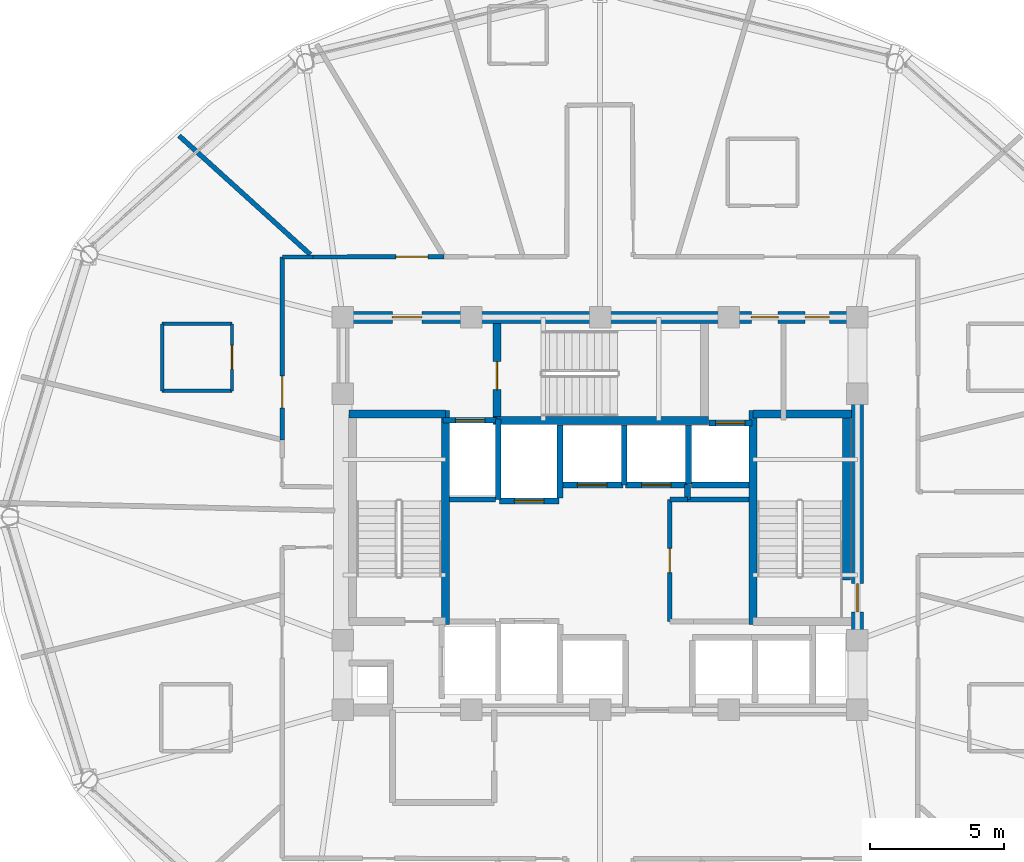
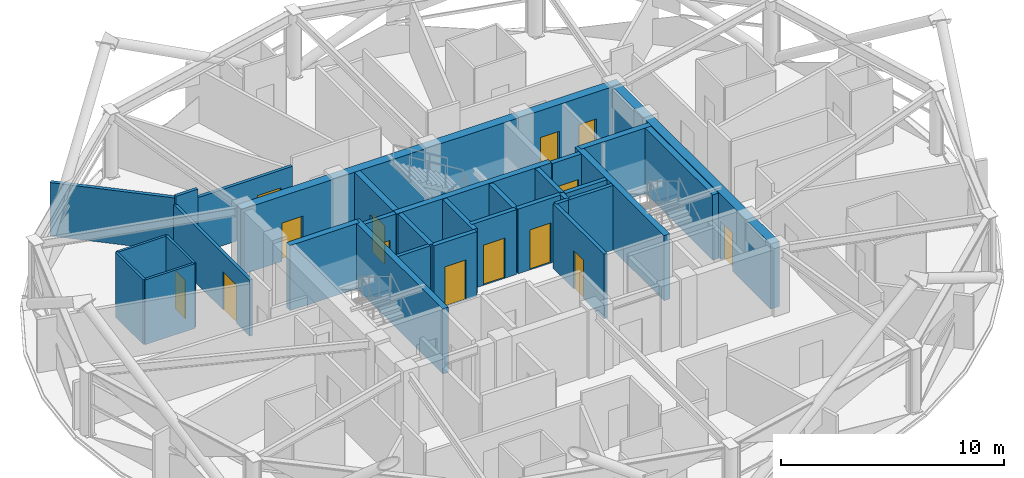
# One storey, part 23 of 29: 32 walls, 14 doors, 14 openings.
"""IFC4 building model written with IfcOpenShell, lengths in metres."""

import ifcopenshell
import ifcopenshell.guid

model = None  # the IFC model being written
_history = None  # IfcOwnerHistory: only IFC2X3 demands one
_inside = {}  # id of a spatial element -> (the spatial element, [elements in it])
_under = {}  # id of a project, library or spatial element -> (it, [spatial elements below it])
_declared = {}  # id of a project -> (the project, [libraries it declares])
_typed = {}  # id of a type object -> (the type object, [elements of that type])
_made_of = {}  # id of a material, layer set ... -> (it, [elements and type objects made of it])


def new_model(schema):
    """Start an empty IFC model of exactly this schema.

    Asked for "IFC4X3", IfcOpenShell would pick the latest addendum, in which some entities
    have other attributes; the version numbers below select the first issue.
    IFC2X3 requires an IfcOwnerHistory on every rooted entity: one is made here for all.
    """
    global model, _history
    if schema == "IFC4X3":
        model = ifcopenshell.file(schema_version=(4, 3, 0, 0))
    else:
        model = ifcopenshell.file(schema=schema)
    _inside.clear()
    _under.clear()
    _declared.clear()
    _typed.clear()
    _made_of.clear()
    _history = None
    if model.schema == "IFC2X3":
        org = make("IfcOrganization", Name="unknown")
        user = make(
            "IfcPersonAndOrganization",
            ThePerson=make("IfcPerson", FamilyName="unknown"),
            TheOrganization=org,
        )
        app = make(
            "IfcApplication",
            ApplicationDeveloper=org,
            Version="unknown",
            ApplicationFullName="unknown",
            ApplicationIdentifier="unknown",
        )
        _history = make(
            "IfcOwnerHistory",
            OwningUser=user,
            OwningApplication=app,
            ChangeAction="ADDED",
            CreationDate=0,
        )
    return model


def make(cls, **values):
    """One entity of the class cls with the attributes given. An attribute that is None is left unset."""
    return model.create_entity(
        cls, **{name: value for name, value in values.items() if value is not None}
    )


def rooted(cls, **values):
    """An entity with a GlobalId (a new one), such as an element, a storey or a relation."""
    return make(cls, GlobalId=ifcopenshell.guid.new(), OwnerHistory=_history, **values)


def si_unit(unit_type, name, prefix=None):
    """IfcSIUnit, for example si_unit("LENGTHUNIT", "METRE", prefix="MILLI")."""
    return make("IfcSIUnit", UnitType=unit_type, Prefix=prefix, Name=name)


def assignment(units):
    """IfcUnitAssignment: the units of a project."""
    return None if units is None else make("IfcUnitAssignment", Units=units)


def point(xyz):
    """IfcCartesianPoint."""
    return None if xyz is None else make("IfcCartesianPoint", Coordinates=xyz)


def direction(xyz):
    """IfcDirection."""
    return None if xyz is None else make("IfcDirection", DirectionRatios=xyz)


def frame(location, z_axis=None, x_axis=None):
    """IfcAxis2Placement3D, a coordinate frame: its origin and axes. An axis left out is left unset."""
    return make(
        "IfcAxis2Placement3D",
        Location=point(location),
        Axis=direction(z_axis),
        RefDirection=direction(x_axis),
    )


def frame_2d(location, x_axis=None):
    """IfcAxis2Placement2D, a coordinate frame in the plane: its origin and x axis."""
    return make(
        "IfcAxis2Placement2D", Location=point(location), RefDirection=direction(x_axis)
    )


def origin():
    """The frame at (0, 0, 0) with its axes left unset."""
    return frame((0.0, 0.0, 0.0))


def place(relative_to, where):
    """IfcLocalPlacement: puts the frame where relative to a parent placement (None: the world)."""
    return make(
        "IfcLocalPlacement", PlacementRelTo=relative_to, RelativePlacement=where
    )


def context(
    kind, dimensions, precision=None, world=None, true_north=None, identifier=None
):
    """IfcGeometricRepresentationContext, for example the 3D "Model" context."""
    return make(
        "IfcGeometricRepresentationContext",
        ContextIdentifier=identifier,
        ContextType=kind,
        CoordinateSpaceDimension=dimensions,
        Precision=precision,
        WorldCoordinateSystem=world,
        TrueNorth=true_north,
    )


def subcontext(parent, identifier, kind, view, scale=None):
    """IfcGeometricRepresentationSubContext, for example "Body" below "Model"."""
    return make(
        "IfcGeometricRepresentationSubContext",
        ContextIdentifier=identifier,
        ContextType=kind,
        ParentContext=parent,
        TargetScale=scale,
        TargetView=view,
    )


def project(units=None, contexts=None):
    """IfcProject with its units and contexts."""
    return rooted(
        "IfcProject",
        Name="project",
        RepresentationContexts=contexts,
        UnitsInContext=assignment(units),
    )


def spatial(cls, under=None, at=None, **own):
    """A site, building, storey or space (cls), placed at a placement, below another one or the project."""
    s = rooted(cls, ObjectPlacement=at, **own)
    if under is not None:
        _under.setdefault(under.id(), (under, []))[1].append(s)
    return s


def profile(cls, at=None, kind="AREA", **sizes):
    """A parametric profile (cls). Its sizes go by their IFC names, for example OverallWidth=200.0."""
    return make(cls, ProfileType=kind, Position=at, **sizes)


def rectangle(**sizes):
    """IfcRectangleProfileDef."""
    return profile("IfcRectangleProfileDef", **sizes)


def extrude(swept, where, along, depth):
    """IfcExtrudedAreaSolid: the profile swept, set in the frame where, extruded along a direction by depth."""
    return make(
        "IfcExtrudedAreaSolid",
        SweptArea=swept,
        Position=where,
        ExtrudedDirection=direction(along),
        Depth=depth,
    )


def shape(context_of_items, identifier, shape_type, items):
    """IfcShapeRepresentation: the items that make up one representation, for example the "Body"."""
    return make(
        "IfcShapeRepresentation",
        ContextOfItems=context_of_items,
        RepresentationIdentifier=identifier,
        RepresentationType=shape_type,
        Items=items,
    )


def material(Name=None, Category=None):
    """IfcMaterial."""
    return make("IfcMaterial", Name=Name, Category=Category)


def layer(
    of_material, thickness, ventilated=None, Name=None, Category=None, Priority=None
):
    """IfcMaterialLayer: one layer of a wall or slab, of a material (None: an air gap)."""
    return make(
        "IfcMaterialLayer",
        Material=of_material,
        LayerThickness=thickness,
        IsVentilated=ventilated,
        Name=Name,
        Category=Category,
        Priority=Priority,
    )


def layer_set(layers, Name=None):
    """IfcMaterialLayerSet."""
    return make("IfcMaterialLayerSet", MaterialLayers=layers, LayerSetName=Name)


def made_of(thing, what):
    """Note that an element or type object is made of a material, layer set ...; save() writes the relation."""
    if what is not None:
        _made_of.setdefault(what.id(), (what, []))[1].append(thing)
    return thing


def type_object(cls, material=None, **own):
    """A type object (cls), such as IfcWallType, which elements share."""
    return made_of(rooted(cls, **own), material)


def element(
    cls,
    number,
    at=None,
    inside=None,
    cuts=None,
    type_object=None,
    material=None,
    context=None,
    identifier="Body",
    shape_type=None,
    held_by="IfcProductDefinitionShape",
    body=None,
    shapes=None,
    **own,
):
    """One element of the class cls, such as IfcWall. Its Tag is "e" and its number.

    at: its placement. inside: the storey or other place that contains it. cuts: it is an
    opening in that element (IfcRelVoidsElement). A single representation is given by context,
    identifier, shape_type and body (its items); several are given by shapes. held_by: the class
    of the entity that holds the representations. save() writes the other relations.
    """
    e = rooted(cls, Tag="e%d" % number, ObjectPlacement=at, **own)
    if body is not None:
        shapes = [shape(context, identifier, shape_type, body)]
    if shapes is not None:
        e.Representation = make(held_by, Representations=shapes)
    if inside is not None:
        _inside.setdefault(inside.id(), (inside, []))[1].append(e)
    if cuts is not None:
        rooted(
            "IfcRelVoidsElement", RelatingBuildingElement=cuts, RelatedOpeningElement=e
        )
    if type_object is not None:
        _typed.setdefault(type_object.id(), (type_object, []))[1].append(e)
    return made_of(e, material)


def fill(opening, filler):
    """IfcRelFillsElement: the door or window that sits in an opening."""
    return rooted(
        "IfcRelFillsElement",
        RelatingOpeningElement=opening,
        RelatedBuildingElement=filler,
    )


def aggregate(whole, parts):
    """IfcRelAggregates: a whole, such as a stair, and the parts it consists of."""
    return rooted("IfcRelAggregates", RelatingObject=whole, RelatedObjects=parts)


def save(model, path):
    """Write the relations noted so far, then the file.

    IfcRelAggregates (storeys below a building ...), IfcRelContainedInSpatialStructure (elements
    in a storey), IfcRelDefinesByType, IfcRelAssociatesMaterial and IfcRelDeclares: one each for
    every whole, place, type object, material and project.
    """
    for whole, parts in _under.values():
        aggregate(whole, parts)
    for where, things in _inside.values():
        rooted(
            "IfcRelContainedInSpatialStructure",
            RelatedElements=things,
            RelatingStructure=where,
        )
    for kind, things in _typed.values():
        rooted("IfcRelDefinesByType", RelatedObjects=things, RelatingType=kind)
    for what, things in _made_of.values():
        rooted("IfcRelAssociatesMaterial", RelatedObjects=things, RelatingMaterial=what)
    for by, libraries in _declared.values():
        rooted("IfcRelDeclares", RelatingContext=by, RelatedDefinitions=libraries)
    model.write(path)


model = new_model("IFC4")

# Units and contexts
model_context = context("Model", 3, precision=1e-05, world=origin(), true_north=direction((0.0, 1.0)))
body_context = subcontext(model_context, "Body", "Model", "MODEL_VIEW")
ifc_project = project(units=[si_unit("LENGTHUNIT", "METRE"), si_unit("AREAUNIT", "SQUARE_METRE"), si_unit("VOLUMEUNIT", "CUBIC_METRE"), si_unit("PLANEANGLEUNIT", "RADIAN"), si_unit("MASSUNIT", "GRAM", prefix="KILO")], contexts=[model_context])

# Site, building, storey
site_placement = place(None, origin())
site = spatial("IfcSite", under=ifc_project, at=site_placement, CompositionType="ELEMENT")
building_placement = place(site_placement, origin())
building = spatial("IfcBuilding", under=site, at=building_placement, Name="Vantalir Tower", CompositionType="ELEMENT")
storey_placement = place(building_placement, frame((0.0, 0.0, 219.89990234375)))
storey = spatial("IfcBuildingStorey", under=building, at=storey_placement, Name="L55", CompositionType="ELEMENT", Elevation=219.89990234375)

# Walls
ifc_material_1 = material(Name="Moisture-resistant en-suite partition", Category="gypsum")
ifc_layer_1 = layer(ifc_material_1, 0.125)
ifc_layer_set_1 = layer_set([ifc_layer_1], Name="Moisture-resistant en-suite partition")
wall_type_1 = type_object("IfcWallType", Name="WL-BATH-125", PredefinedType="PARTITIONING", material=ifc_layer_set_1)
for number, where, z_axis, x_axis, name in (
    (1, (15.1630859375, 29.7041015625, 0.0), (0.0, 0.0, 1.0), (1.0, 0.0, 0.0), "L55 En-suite 06 South Wall"),
    (2, (15.1630859375, 32.2041015625, 0.0), (0.0, 0.0, 1.0), (1.0, 0.0, 0.0), "L55 En-suite 06 North Wall"),
):
    element("IfcWall", number, at=place(storey_placement, frame(where, z_axis=z_axis, x_axis=x_axis)), inside=storey, type_object=wall_type_1, Name=name, PredefinedType="PARTITIONING", context=body_context, shape_type="SweptSolid", body=[
        extrude(rectangle(XDim=2.599853515625, YDim=0.125, at=frame_2d((1.2998046875, 0.0))), origin(), (0.0, 0.0, 1.0), 3.550048828125),
    ])
wall_1_placement = place(storey_placement, frame((15.1630859375, 29.7041015625, 0.0), z_axis=(0.0, 0.0, 1.0), x_axis=(0.0, 1.0, 0.0)))
element("IfcWall", 3, at=wall_1_placement, inside=storey, type_object=wall_type_1, Name="L55 En-suite 06 West Wall", PredefinedType="PARTITIONING", context=body_context, shape_type="SweptSolid", body=[
    extrude(rectangle(XDim=2.5, YDim=0.125, at=frame_2d((1.25, 0.0))), origin(), (0.0, 0.0, 1.0), 3.550048828125),
])

# Wall, opening, door
wall_2_placement = place(storey_placement, frame((17.762939453125, 29.7041015625, 0.0), z_axis=(0.0, 0.0, 1.0), x_axis=(0.0, 1.0, 0.0)))
wall_2 = element("IfcWall", 4, at=wall_2_placement, inside=storey, type_object=wall_type_1, Name="L55 En-suite 06 East Wall", PredefinedType="PARTITIONING", context=body_context, shape_type="SweptSolid", body=[
    extrude(rectangle(XDim=2.5, YDim=0.125, at=frame_2d((1.25, 0.0))), origin(), (0.0, 0.0, 1.0), 3.550048828125),
])
opening_1_placement = place(wall_2_placement, frame((0.800048828125, 0.0, 0.0)))
opening_1 = element("IfcOpeningElement", 5, at=opening_1_placement, cuts=wall_2, Name="Opening D-WC", PredefinedType="OPENING", context=body_context, shape_type="SweptSolid", body=[
    extrude(rectangle(XDim=0.89990234375, YDim=2.10009765625, at=frame_2d((0.449951171875, 1.050048828125))), frame((0.0, 0.072509765625, 0.0), z_axis=(0.0, -1.0, 0.0), x_axis=(1.0, 0.0, 0.0)), (0.0, 0.0, 1.0), 0.14501953125),
])
ifc_material_2 = material(Name="Moisture-resistant hardwood door", Category="wood")
door_type_1 = type_object("IfcDoorType", Name="DR-ENSUITE-900", OperationType="NOTDEFINED", PredefinedType="DOOR", material=ifc_material_2)
door_1_placement = place(opening_1_placement, origin())
door_1 = element("IfcDoor", 6, at=door_1_placement, inside=storey, type_object=door_type_1, Name="L55 En-suite 06 Door", OperationType="SINGLE_SWING_RIGHT", OverallHeight=2.10009765625, OverallWidth=0.89990234375, PredefinedType="DOOR", context=body_context, shape_type="SweptSolid", body=[
    extrude(rectangle(XDim=0.89990234375, YDim=2.10009765625, at=frame_2d((0.449951171875, 1.050048828125))), frame((0.0, 0.02490234375, 0.0), z_axis=(0.0, -1.0, 0.0), x_axis=(1.0, 0.0, 0.0)), (0.0, 0.0, 1.0), 0.050048828125),
])
fill(opening_1, door_1)

# Wall, openings, doors
ifc_material_3 = material(Name="Concrete C50/60", Category="concrete")
ifc_layer_2 = layer(ifc_material_3, 0.449951171875)
ifc_layer_set_2 = layer_set([ifc_layer_2], Name="Concrete C50/60")
wall_type_2 = type_object("IfcWallType", Name="WL-CORE-450", PredefinedType="SHEAR", material=ifc_layer_set_2)
wall_3_placement = place(storey_placement, frame((21.675048828125, 32.449951171875, 0.0), z_axis=(0.0, 0.0, 1.0), x_axis=(1.0, 0.0, 0.0)))
wall_3 = element("IfcWall", 7, at=wall_3_placement, inside=storey, type_object=wall_type_2, Name="L55 Core Shear Wall North", PredefinedType="SHEAR", context=body_context, shape_type="SweptSolid", body=[
    extrude(rectangle(XDim=19.64990234375, YDim=0.449951171875, at=frame_2d((9.824951171875, 0.0))), origin(), (0.0, 0.0, 1.0), 3.570068359375),
])
opening_2_placement = place(wall_3_placement, frame((2.074951171875, 0.0, 0.0)))
opening_2 = element("IfcOpeningElement", 8, at=opening_2_placement, cuts=wall_3, Name="Opening D-FFL", PredefinedType="OPENING", context=body_context, shape_type="SweptSolid", body=[
    extrude(rectangle(XDim=1.10009765625, YDim=2.10009765625, at=frame_2d((0.550048828125, 1.050048828125))), frame((0.0, 0.23486328125, 0.0), z_axis=(0.0, -1.0, 0.0), x_axis=(1.0, 0.0, 0.0)), (0.0, 0.0, 1.0), 0.469970703125),
])
opening_3_placement = place(wall_3_placement, frame((15.465087890625, 0.0, 0.0)))
opening_3 = element("IfcOpeningElement", 9, at=opening_3_placement, cuts=wall_3, Name="Opening D-GUEST", PredefinedType="OPENING", context=body_context, shape_type="SweptSolid", body=[
    extrude(rectangle(XDim=1.0, YDim=2.10009765625, at=frame_2d((0.5, 1.050048828125))), frame((0.0, 0.23486328125, 0.0), z_axis=(0.0, -1.0, 0.0), x_axis=(1.0, 0.0, 0.0)), (0.0, 0.0, 1.0), 0.469970703125),
])
opening_4_placement = place(wall_3_placement, frame((17.47509765625, 0.0, 0.0)))
opening_4 = element("IfcOpeningElement", 10, at=opening_4_placement, cuts=wall_3, Name="Opening D-CR", PredefinedType="OPENING", context=body_context, shape_type="SweptSolid", body=[
    extrude(rectangle(XDim=0.89990234375, YDim=2.10009765625, at=frame_2d((0.449951171875, 1.050048828125))), frame((0.0, 0.23486328125, 0.0), z_axis=(0.0, -1.0, 0.0), x_axis=(1.0, 0.0, 0.0)), (0.0, 0.0, 1.0), 0.469970703125),
])
ifc_material_4 = material(Name="Fire-rated steel core service door", Category="steel")
door_type_2 = type_object("IfcDoorType", Name="DR-CORE-SERV-900", OperationType="NOTDEFINED", PredefinedType="DOOR", material=ifc_material_4)
door_2_placement = place(opening_4_placement, frame((0.89990234375, 0.0, 0.0), z_axis=(0.0, 0.0, 1.0), x_axis=(-1.0, 0.0, 0.0)))
door_2 = element("IfcDoor", 11, at=door_2_placement, inside=storey, type_object=door_type_2, Name="L55 Housekeeping and Linen Room Door", OperationType="SINGLE_SWING_RIGHT", OverallHeight=2.10009765625, OverallWidth=0.89990234375, PredefinedType="DOOR", context=body_context, shape_type="SweptSolid", body=[
    extrude(rectangle(XDim=0.89990234375, YDim=2.10009765625, at=frame_2d((0.449951171875, 1.050048828125))), frame((0.0, 0.02490234375, 0.0), z_axis=(0.0, -1.0, 0.0), x_axis=(1.0, 0.0, 0.0)), (0.0, 0.0, 1.0), 0.050048828125),
])
fill(opening_4, door_2)
ifc_material_5 = material(Name="Fire-rated acoustic steel door", Category="steel")
door_type_3 = type_object("IfcDoorType", Name="DR-FIRE-LOBBY-1100", OperationType="NOTDEFINED", PredefinedType="DOOR", material=ifc_material_5)
door_3_placement = place(opening_2_placement, frame((1.10009765625, 0.0, 0.0), z_axis=(0.0, 0.0, 1.0), x_axis=(-1.0, 0.0, 0.0)))
door_3 = element("IfcDoor", 12, at=door_3_placement, inside=storey, type_object=door_type_3, Name="L55 Firefighting Lobby East Access Door", OperationType="SINGLE_SWING_LEFT", OverallHeight=2.10009765625, OverallWidth=1.10009765625, PredefinedType="DOOR", context=body_context, shape_type="SweptSolid", body=[
    extrude(rectangle(XDim=1.10009765625, YDim=2.10009765625, at=frame_2d((0.550048828125, 1.050048828125))), frame((0.0, 0.02490234375, 0.0), z_axis=(0.0, -1.0, 0.0), x_axis=(1.0, 0.0, 0.0)), (0.0, 0.0, 1.0), 0.050048828125),
])
fill(opening_2, door_3)
ifc_material_6 = material(Name="Solid-core teak veneer acoustic fire door", Category="wood")
door_type_4 = type_object("IfcDoorType", Name="DR-GUEST-ENTRY-1000", OperationType="NOTDEFINED", PredefinedType="DOOR", material=ifc_material_6)
door_4_placement = place(opening_3_placement, frame((1.0, 0.0, 0.0), z_axis=(0.0, 0.0, 1.0), x_axis=(-1.0, 0.0, 0.0)))
door_4 = element("IfcDoor", 13, at=door_4_placement, inside=storey, type_object=door_type_4, Name="L55 High-Rise Lift Lobby Door", OperationType="SINGLE_SWING_LEFT", OverallHeight=2.10009765625, OverallWidth=1.0, PredefinedType="DOOR", context=body_context, shape_type="SweptSolid", body=[
    extrude(rectangle(XDim=1.0, YDim=2.10009765625, at=frame_2d((0.5, 1.050048828125))), frame((0.0, 0.02490234375, 0.0), z_axis=(0.0, -1.0, 0.0), x_axis=(1.0, 0.0, 0.0)), (0.0, 0.0, 1.0), 0.050048828125),
])
fill(opening_3, door_4)

# Wall, opening, door
wall_4_placement = place(storey_placement, frame((41.10009765625, 18.02490234375, 0.0), z_axis=(0.0, 0.0, 1.0), x_axis=(0.0, 1.0, 0.0)))
wall_4 = element("IfcWall", 14, at=wall_4_placement, inside=storey, type_object=wall_type_2, Name="L55 Core Shear Wall East", PredefinedType="SHEAR", context=body_context, shape_type="SweptSolid", body=[
    extrude(rectangle(XDim=14.2001953125, YDim=0.449951171875, at=frame_2d((7.10009765625, 0.0))), origin(), (0.0, 0.0, 1.0), 3.570068359375),
])
opening_5_placement = place(wall_4_placement, frame((3.43505859375, 0.0, 0.0)))
opening_5 = element("IfcOpeningElement", 15, at=opening_5_placement, cuts=wall_4, Name="Opening D-ST", PredefinedType="OPENING", context=body_context, shape_type="SweptSolid", body=[
    extrude(rectangle(XDim=1.050048828125, YDim=2.10009765625, at=frame_2d((0.52490234375, 1.050048828125))), frame((0.0, 0.23486328125, 0.0), z_axis=(0.0, -1.0, 0.0), x_axis=(1.0, 0.0, 0.0)), (0.0, 0.0, 1.0), 0.469970703125),
])
ifc_material_7 = material(Name="Fire-rated steel door leaf", Category="steel")
door_type_5 = type_object("IfcDoorType", Name="DR-FIRE-STAIR-1050", OperationType="NOTDEFINED", PredefinedType="DOOR", material=ifc_material_7)
door_5_placement = place(opening_5_placement, origin())
door_5 = element("IfcDoor", 16, at=door_5_placement, inside=storey, type_object=door_type_5, Name="L55 Exit Stair ST2 Fire Door", OperationType="SINGLE_SWING_LEFT", OverallHeight=2.10009765625, OverallWidth=1.050048828125, PredefinedType="DOOR", context=body_context, shape_type="SweptSolid", body=[
    extrude(rectangle(XDim=1.050048828125, YDim=2.10009765625, at=frame_2d((0.52490234375, 1.050048828125))), frame((0.0, 0.02490234375, 0.0), z_axis=(0.0, -1.0, 0.0), x_axis=(1.0, 0.0, 0.0)), (0.0, 0.0, 1.0), 0.050048828125),
])
fill(opening_5, door_5)

ifc_material_8 = material(Name="Fire-rated hotel corridor acoustic partition", Category="gypsum")
ifc_layer_3 = layer(ifc_material_8, 0.159912109375)
ifc_layer_set_3 = layer_set([ifc_layer_3], Name="Fire-rated hotel corridor acoustic partition")
wall_type_3 = type_object("IfcWallType", Name="WL-CORR-160", PredefinedType="PARTITIONING", material=ifc_layer_set_3)
wall_5_placement = place(storey_placement, frame((19.636962890625, 27.8779296875, 0.0), z_axis=(0.0, 0.0, 1.0), x_axis=(0.001037826446, 0.999999461458, 0.0)))
wall_5 = element("IfcWall", 17, at=wall_5_placement, inside=storey, type_object=wall_type_3, Name="L55 Corridor Partition 03", PredefinedType="PARTITIONING", context=body_context, shape_type="SweptSolid", body=[
    extrude(rectangle(XDim=6.822021484375, YDim=0.159912109375, at=frame_2d((3.4111328125, 0.0))), origin(), (0.0, 0.0, 1.0), 3.0810546875),
])
opening_6_placement = place(wall_5_placement, frame((1.19091796875, 0.0, 0.0)))
opening_6 = element("IfcOpeningElement", 18, at=opening_6_placement, cuts=wall_5, Name="Opening D-STE", PredefinedType="OPENING", context=body_context, shape_type="SweptSolid", body=[
    extrude(rectangle(XDim=1.199951171875, YDim=2.10009765625, at=frame_2d((0.60009765625, 1.050048828125))), frame((0.0, 0.08984375, 0.0), z_axis=(0.0, -1.0, 0.0), x_axis=(1.0, 0.0, 0.0)), (0.0, 0.0, 1.0), 0.179931640625),
])
ifc_material_9 = material(Name="Solid-core teak veneer suite entrance door", Category="wood")
door_type_6 = type_object("IfcDoorType", Name="DR-SUITE-ENTRY-1200", OperationType="NOTDEFINED", PredefinedType="DOOR", material=ifc_material_9)
door_6_placement = place(opening_6_placement, origin())
door_6 = element("IfcDoor", 19, at=door_6_placement, inside=storey, type_object=door_type_6, Name="L55 Corner Panorama Hotel Suite 06 Door", OperationType="SINGLE_SWING_RIGHT", OverallHeight=2.10009765625, OverallWidth=1.199951171875, PredefinedType="DOOR", context=body_context, shape_type="SweptSolid", body=[
    extrude(rectangle(XDim=1.199951171875, YDim=2.10009765625, at=frame_2d((0.60009765625, 1.050048828125))), frame((0.0, 0.02490234375, 0.0), z_axis=(0.0, -1.0, 0.0), x_axis=(1.0, 0.0, 0.0)), (0.0, 0.0, 1.0), 0.050048828125),
])
fill(opening_6, door_6)

# Wall
wall_6_placement = place(storey_placement, frame((19.64404296875, 34.699951171875, 0.0), z_axis=(0.0, 0.0, 1.0), x_axis=(0.999998534596, 0.001711959828, 0.0)))
element("IfcWall", 20, at=wall_6_placement, inside=storey, type_object=wall_type_3, Name="L55 Corridor Partition 04", PredefinedType="PARTITIONING", context=body_context, shape_type="SweptSolid", body=[
    extrude(rectangle(XDim=1.140869140625, YDim=0.159912109375, at=frame_2d((0.5703125, 0.0))), origin(), (0.0, 0.0, 1.0), 3.550048828125),
])

# Wall, opening, door
wall_7_placement = place(storey_placement, frame((20.784912109375, 34.701904296875, 0.0), z_axis=(0.0, 0.0, 1.0), x_axis=(0.999998953153, 0.001446959866, 0.0)))
wall_7 = element("IfcWall", 21, at=wall_7_placement, inside=storey, type_object=wall_type_3, Name="L55 Corridor Partition 05", PredefinedType="PARTITIONING", context=body_context, shape_type="SweptSolid", body=[
    extrude(rectangle(XDim=4.89306640625, YDim=0.159912109375, at=frame_2d((2.446533203125, 0.0))), origin(), (0.0, 0.0, 1.0), 3.0810546875),
])
opening_7_placement = place(wall_7_placement, frame((3.093017578125, 0.0, 0.0)))
opening_7 = element("IfcOpeningElement", 22, at=opening_7_placement, cuts=wall_7, Name="Opening D-STE", PredefinedType="OPENING", context=body_context, shape_type="SweptSolid", body=[
    extrude(rectangle(XDim=1.199951171875, YDim=2.10009765625, at=frame_2d((0.60009765625, 1.050048828125))), frame((0.0, 0.08984375, 0.0), z_axis=(0.0, -1.0, 0.0), x_axis=(1.0, 0.0, 0.0)), (0.0, 0.0, 1.0), 0.179931640625),
])
door_7_placement = place(opening_7_placement, origin())
door_7 = element("IfcDoor", 23, at=door_7_placement, inside=storey, type_object=door_type_6, Name="L55 Club Reading Lounge 05 Door", OperationType="SINGLE_SWING_LEFT", OverallHeight=2.10009765625, OverallWidth=1.199951171875, PredefinedType="DOOR", context=body_context, shape_type="SweptSolid", body=[
    extrude(rectangle(XDim=1.199951171875, YDim=2.10009765625, at=frame_2d((0.60009765625, 1.050048828125))), frame((0.0, 0.02490234375, 0.0), z_axis=(0.0, -1.0, 0.0), x_axis=(1.0, 0.0, 0.0)), (0.0, 0.0, 1.0), 0.050048828125),
])
fill(opening_7, door_7)

# Walls
ifc_material_10 = material(Name="Concrete blockwork with fireboard lining", Category="masonry")
ifc_layer_4 = layer(ifc_material_10, 0.219970703125)
ifc_layer_set_4 = layer_set([ifc_layer_4], Name="Concrete blockwork with fireboard lining")
wall_type_4 = type_object("IfcWallType", Name="WL-FFL-220", PredefinedType="PARTITIONING", material=ifc_layer_set_4)
wall_8_placement = place(storey_placement, frame((30.0, 25.7099609375, 0.0), z_axis=(0.0, 0.0, 1.0), x_axis=(0.0, 1.0, 0.0)))
element("IfcWall", 24, at=wall_8_placement, inside=storey, type_object=wall_type_4, Name="L55 Service Lift SV2 East Shaft Wall", PredefinedType="PARTITIONING", context=body_context, shape_type="SweptSolid", body=[
    extrude(rectangle(XDim=2.72998046875, YDim=0.219970703125, at=frame_2d((1.364990234375, 0.0))), origin(), (0.0, 0.0, 1.0), 3.545166015625),
])
wall_9_placement = place(storey_placement, frame((32.39990234375, 26.199951171875, 0.0), z_axis=(0.0, 0.0, 1.0), x_axis=(0.0, 1.0, 0.0)))
element("IfcWall", 25, at=wall_9_placement, inside=storey, type_object=wall_type_4, Name="L55 High-Rise Lift PL-H1/H2 Shaft Divider", PredefinedType="PARTITIONING", context=body_context, shape_type="SweptSolid", body=[
    extrude(rectangle(XDim=2.239990234375, YDim=0.219970703125, at=frame_2d((1.1201171875, 0.0))), origin(), (0.0, 0.0, 1.0), 3.545166015625),
])
wall_10_placement = place(storey_placement, frame((34.800048828125, 26.22998046875, 0.0), z_axis=(0.0, 0.0, 1.0), x_axis=(0.0, 1.0, 0.0)))
element("IfcWall", 26, at=wall_10_placement, inside=storey, type_object=wall_type_4, Name="L55 High-Rise Lift PL-H2/H3 Shaft Divider", PredefinedType="PARTITIONING", context=body_context, shape_type="SweptSolid", body=[
    extrude(rectangle(XDim=2.2099609375, YDim=0.219970703125, at=frame_2d((1.10498046875, 0.0))), origin(), (0.0, 0.0, 1.0), 3.545166015625),
])
wall_11_placement = place(storey_placement, frame((34.909912109375, 26.18994140625, 0.0), z_axis=(0.0, 0.0, 1.0), x_axis=(1.0, 0.0, 0.0)))
element("IfcWall", 27, at=wall_11_placement, inside=storey, type_object=wall_type_4, Name="L55 High-Rise Lift PL-H3 Rear Shaft Wall", PredefinedType="PARTITIONING", context=body_context, shape_type="SweptSolid", body=[
    extrude(rectangle(XDim=2.14013671875, YDim=0.219970703125, at=frame_2d((1.070068359375, 0.0))), origin(), (0.0, 0.0, 1.0), 3.545166015625),
])

# Wall, opening, door
wall_12_placement = place(storey_placement, frame((25.639892578125, 28.610107421875, 0.0), z_axis=(0.0, 0.0, 1.0), x_axis=(1.0, 0.0, 0.0)))
wall_12 = element("IfcWall", 28, at=wall_12_placement, inside=storey, type_object=wall_type_4, Name="L55 Lift FL2 Shaft Front Wall", PredefinedType="PARTITIONING", context=body_context, shape_type="SweptSolid", body=[
    extrude(rectangle(XDim=2.02001953125, YDim=0.219970703125, at=frame_2d((1.010009765625, 0.0))), origin(), (0.0, 0.0, 1.0), 3.550048828125),
])
opening_8_placement = place(wall_12_placement, frame((0.4599609375, 0.0, 0.0)))
opening_8 = element("IfcOpeningElement", 29, at=opening_8_placement, cuts=wall_12, Name="Opening LD-FL2", PredefinedType="OPENING", context=body_context, shape_type="SweptSolid", body=[
    extrude(rectangle(XDim=1.10009765625, YDim=2.199951171875, at=frame_2d((0.550048828125, 1.10009765625))), frame((0.0, 0.119873046875, 0.0), z_axis=(0.0, -1.0, 0.0), x_axis=(1.0, 0.0, 0.0)), (0.0, 0.0, 1.0), 0.239990234375),
])
ifc_material_11 = material(Name="Brushed stainless-steel sliding lift landing door", Category="steel")
door_type_7 = type_object("IfcDoorType", Name="DR-LIFT-LANDING-1100", OperationType="DOUBLE_DOOR_SLIDING", PredefinedType="DOOR", material=ifc_material_11)
door_8_placement = place(opening_8_placement, origin())
door_8 = element("IfcDoor", 30, at=door_8_placement, inside=storey, type_object=door_type_7, Name="L55 Lift Landing Door FL2", OperationType="DOUBLE_DOOR_SLIDING", OverallHeight=2.199951171875, OverallWidth=1.10009765625, PredefinedType="DOOR", context=body_context, shape_type="SweptSolid", body=[
    extrude(rectangle(XDim=1.10009765625, YDim=2.199951171875, at=frame_2d((0.550048828125, 1.10009765625))), frame((0.0, 0.02490234375, 0.0), z_axis=(0.0, -1.0, 0.0), x_axis=(1.0, 0.0, 0.0)), (0.0, 0.0, 1.0), 0.050048828125),
])
fill(opening_8, door_8)

wall_13_placement = place(storey_placement, frame((27.739990234375, 25.590087890625, 0.0), z_axis=(0.0, 0.0, 1.0), x_axis=(1.0, 0.0, 0.0)))
wall_13 = element("IfcWall", 31, at=wall_13_placement, inside=storey, type_object=wall_type_4, Name="L55 Lift SV2 Shaft Front Wall", PredefinedType="PARTITIONING", context=body_context, shape_type="SweptSolid", body=[
    extrude(rectangle(XDim=2.219970703125, YDim=0.219970703125, at=frame_2d((1.10986328125, 0.0))), origin(), (0.0, 0.0, 1.0), 3.550048828125),
])
opening_9_placement = place(wall_13_placement, frame((0.56005859375, 0.0, 0.0)))
opening_9 = element("IfcOpeningElement", 32, at=opening_9_placement, cuts=wall_13, Name="Opening LD-SV2", PredefinedType="OPENING", context=body_context, shape_type="SweptSolid", body=[
    extrude(rectangle(XDim=1.10009765625, YDim=2.199951171875, at=frame_2d((0.550048828125, 1.10009765625))), frame((0.0, 0.119873046875, 0.0), z_axis=(0.0, -1.0, 0.0), x_axis=(1.0, 0.0, 0.0)), (0.0, 0.0, 1.0), 0.239990234375),
])
door_9_placement = place(opening_9_placement, frame((1.10009765625, 0.0, 0.0), z_axis=(0.0, 0.0, 1.0), x_axis=(-1.0, 0.0, 0.0)))
door_9 = element("IfcDoor", 33, at=door_9_placement, inside=storey, type_object=door_type_7, Name="L55 Lift Landing Door SV2", OperationType="DOUBLE_DOOR_SLIDING", OverallHeight=2.199951171875, OverallWidth=1.10009765625, PredefinedType="DOOR", context=body_context, shape_type="SweptSolid", body=[
    extrude(rectangle(XDim=1.10009765625, YDim=2.199951171875, at=frame_2d((0.550048828125, 1.10009765625))), frame((0.0, 0.02490234375, 0.0), z_axis=(0.0, -1.0, 0.0), x_axis=(1.0, 0.0, 0.0)), (0.0, 0.0, 1.0), 0.050048828125),
])
fill(opening_9, door_9)

wall_14_placement = place(storey_placement, frame((30.0400390625, 26.18994140625, 0.0), z_axis=(0.0, 0.0, 1.0), x_axis=(1.0, 0.0, 0.0)))
wall_14 = element("IfcWall", 34, at=wall_14_placement, inside=storey, type_object=wall_type_4, Name="L55 Lift PL-H1 Shaft Front Wall", PredefinedType="PARTITIONING", context=body_context, shape_type="SweptSolid", body=[
    extrude(rectangle(XDim=2.320068359375, YDim=0.219970703125, at=frame_2d((1.16015625, 0.0))), origin(), (0.0, 0.0, 1.0), 3.550048828125),
])
opening_10_placement = place(wall_14_placement, frame((0.610107421875, 0.0, 0.0)))
opening_10 = element("IfcOpeningElement", 35, at=opening_10_placement, cuts=wall_14, Name="Opening LD-PL-H1", PredefinedType="OPENING", context=body_context, shape_type="SweptSolid", body=[
    extrude(rectangle(XDim=1.10009765625, YDim=2.199951171875, at=frame_2d((0.550048828125, 1.10009765625))), frame((0.0, 0.119873046875, 0.0), z_axis=(0.0, -1.0, 0.0), x_axis=(1.0, 0.0, 0.0)), (0.0, 0.0, 1.0), 0.239990234375),
])
door_10_placement = place(opening_10_placement, frame((1.10009765625, 0.0, 0.0), z_axis=(0.0, 0.0, 1.0), x_axis=(-1.0, 0.0, 0.0)))
door_10 = element("IfcDoor", 36, at=door_10_placement, inside=storey, type_object=door_type_7, Name="L55 Lift Landing Door PL-H1", OperationType="DOUBLE_DOOR_SLIDING", OverallHeight=2.199951171875, OverallWidth=1.10009765625, PredefinedType="DOOR", context=body_context, shape_type="SweptSolid", body=[
    extrude(rectangle(XDim=1.10009765625, YDim=2.199951171875, at=frame_2d((0.550048828125, 1.10009765625))), frame((0.0, 0.02490234375, 0.0), z_axis=(0.0, -1.0, 0.0), x_axis=(1.0, 0.0, 0.0)), (0.0, 0.0, 1.0), 0.050048828125),
])
fill(opening_10, door_10)

wall_15_placement = place(storey_placement, frame((32.43994140625, 26.18994140625, 0.0), z_axis=(0.0, 0.0, 1.0), x_axis=(1.0, 0.0, 0.0)))
wall_15 = element("IfcWall", 37, at=wall_15_placement, inside=storey, type_object=wall_type_4, Name="L55 Lift PL-H2 Shaft Front Wall", PredefinedType="PARTITIONING", context=body_context, shape_type="SweptSolid", body=[
    extrude(rectangle(XDim=2.320068359375, YDim=0.219970703125, at=frame_2d((1.16015625, 0.0))), origin(), (0.0, 0.0, 1.0), 3.550048828125),
])
opening_11_placement = place(wall_15_placement, frame((0.610107421875, 0.0, 0.0)))
opening_11 = element("IfcOpeningElement", 38, at=opening_11_placement, cuts=wall_15, Name="Opening LD-PL-H2", PredefinedType="OPENING", context=body_context, shape_type="SweptSolid", body=[
    extrude(rectangle(XDim=1.10009765625, YDim=2.199951171875, at=frame_2d((0.550048828125, 1.10009765625))), frame((0.0, 0.119873046875, 0.0), z_axis=(0.0, -1.0, 0.0), x_axis=(1.0, 0.0, 0.0)), (0.0, 0.0, 1.0), 0.239990234375),
])
door_11_placement = place(opening_11_placement, frame((1.10009765625, 0.0, 0.0), z_axis=(0.0, 0.0, 1.0), x_axis=(-1.0, 0.0, 0.0)))
door_11 = element("IfcDoor", 39, at=door_11_placement, inside=storey, type_object=door_type_7, Name="L55 Lift Landing Door PL-H2", OperationType="DOUBLE_DOOR_SLIDING", OverallHeight=2.199951171875, OverallWidth=1.10009765625, PredefinedType="DOOR", context=body_context, shape_type="SweptSolid", body=[
    extrude(rectangle(XDim=1.10009765625, YDim=2.199951171875, at=frame_2d((0.550048828125, 1.10009765625))), frame((0.0, 0.02490234375, 0.0), z_axis=(0.0, -1.0, 0.0), x_axis=(1.0, 0.0, 0.0)), (0.0, 0.0, 1.0), 0.050048828125),
])
fill(opening_11, door_11)

wall_16_placement = place(storey_placement, frame((35.56005859375, 28.510009765625, 0.0), z_axis=(0.0, 0.0, 1.0), x_axis=(1.0, 0.0, 0.0)))
wall_16 = element("IfcWall", 40, at=wall_16_placement, inside=storey, type_object=wall_type_4, Name="L55 Lift PL-H3 Shaft Front Wall", PredefinedType="PARTITIONING", context=body_context, shape_type="SweptSolid", body=[
    extrude(rectangle(XDim=1.599853515625, YDim=0.219970703125, at=frame_2d((0.7998046875, 0.0))), origin(), (0.0, 0.0, 1.0), 3.550048828125),
])
opening_12_placement = place(wall_16_placement, frame((0.25, 0.0, 0.0)))
opening_12 = element("IfcOpeningElement", 41, at=opening_12_placement, cuts=wall_16, Name="Opening LD-PL-H3", PredefinedType="OPENING", context=body_context, shape_type="SweptSolid", body=[
    extrude(rectangle(XDim=1.10009765625, YDim=2.199951171875, at=frame_2d((0.550048828125, 1.10009765625))), frame((0.0, 0.119873046875, 0.0), z_axis=(0.0, -1.0, 0.0), x_axis=(1.0, 0.0, 0.0)), (0.0, 0.0, 1.0), 0.239990234375),
])
door_12_placement = place(opening_12_placement, origin())
door_12 = element("IfcDoor", 42, at=door_12_placement, inside=storey, type_object=door_type_7, Name="L55 Lift Landing Door PL-H3", OperationType="DOUBLE_DOOR_SLIDING", OverallHeight=2.199951171875, OverallWidth=1.10009765625, PredefinedType="DOOR", context=body_context, shape_type="SweptSolid", body=[
    extrude(rectangle(XDim=1.10009765625, YDim=2.199951171875, at=frame_2d((0.550048828125, 1.10009765625))), frame((0.0, 0.02490234375, 0.0), z_axis=(0.0, -1.0, 0.0), x_axis=(1.0, 0.0, 0.0)), (0.0, 0.0, 1.0), 0.050048828125),
])
fill(opening_12, door_12)

# Walls
wall_17_placement = place(storey_placement, frame((27.699951171875, 25.64990234375, 0.0), z_axis=(0.0, 0.0, 1.0), x_axis=(0.0, 1.0, 0.0)))
element("IfcWall", 43, at=wall_17_placement, inside=storey, type_object=wall_type_4, Name="L55 Fire Lift FL2 Dividing Wall", PredefinedType="PARTITIONING", context=body_context, shape_type="SweptSolid", body=[
    extrude(rectangle(XDim=3.0, YDim=0.219970703125, at=frame_2d((1.5, 0.0))), origin(), (0.0, 0.0, 1.0), 3.550048828125),
])
wall_18_placement = place(storey_placement, frame((34.760009765625, 25.64990234375, 0.0), z_axis=(0.0, 0.0, 1.0), x_axis=(0.0, 1.0, 0.0)))
element("IfcWall", 44, at=wall_18_placement, inside=storey, type_object=wall_type_4, Name="L55 High-Rise Shaft Shoulder Wall", PredefinedType="PARTITIONING", context=body_context, shape_type="SweptSolid", body=[
    extrude(rectangle(XDim=0.570068359375, YDim=0.219970703125, at=frame_2d((0.28515625, 0.0))), origin(), (0.0, 0.0, 1.0), 3.550048828125),
])
ifc_material_12 = material(Name="Twin-stud acoustic fire-rated gypsum partition", Category="gypsum")
ifc_layer_5 = layer(ifc_material_12, 0.179931640625)
ifc_layer_set_5 = layer_set([ifc_layer_5], Name="Twin-stud acoustic fire-rated gypsum partition")
wall_type_5 = type_object("IfcWallType", Name="WL-GUEST-180", PredefinedType="PARTITIONING", material=ifc_layer_set_5)
wall_19_placement = place(storey_placement, frame((25.889892578125, 25.64990234375, 0.0), z_axis=(0.0, 0.0, 1.0), x_axis=(1.0, 0.0, 0.0)))
element("IfcWall", 45, at=wall_19_placement, inside=storey, type_object=wall_type_5, Name="L55 Freed West Core North Wall", PredefinedType="PARTITIONING", context=body_context, shape_type="SweptSolid", body=[
    extrude(rectangle(XDim=1.7001953125, YDim=0.179931640625, at=frame_2d((0.85009765625, 0.0))), origin(), (0.0, 0.0, 1.0), 3.550048828125),
])
wall_20_placement = place(storey_placement, frame((34.719970703125, 25.64990234375, 0.0), z_axis=(0.0, 0.0, 1.0), x_axis=(1.0, 0.0, 0.0)))
element("IfcWall", 46, at=wall_20_placement, inside=storey, type_object=wall_type_5, Name="L55 Freed East Core North Wall", PredefinedType="PARTITIONING", context=body_context, shape_type="SweptSolid", body=[
    extrude(rectangle(XDim=2.340087890625, YDim=0.179931640625, at=frame_2d((1.169921875, 0.0))), origin(), (0.0, 0.0, 1.0), 3.550048828125),
])
wall_21_placement = place(storey_placement, frame((34.10009765625, 25.64990234375, 0.0), z_axis=(0.0, 0.0, 1.0), x_axis=(1.0, 0.0, 0.0)))
element("IfcWall", 47, at=wall_21_placement, inside=storey, type_object=wall_type_5, Name="L55 East Core Room North Return", PredefinedType="PARTITIONING", context=body_context, shape_type="SweptSolid", body=[
    extrude(rectangle(XDim=0.659912109375, YDim=0.179931640625, at=frame_2d((0.330078125, 0.0))), origin(), (0.0, 0.0, 1.0), 3.550048828125),
])

# Wall, opening, door
wall_22_placement = place(storey_placement, frame((34.10009765625, 21.10009765625, 0.0), z_axis=(0.0, 0.0, 1.0), x_axis=(0.0, 1.0, 0.0)))
wall_22 = element("IfcWall", 48, at=wall_22_placement, inside=storey, type_object=wall_type_5, Name="L55 East Core Room West Wall", PredefinedType="PARTITIONING", context=body_context, shape_type="SweptSolid", body=[
    extrude(rectangle(XDim=4.5498046875, YDim=0.179931640625, at=frame_2d((2.27490234375, 0.0))), origin(), (0.0, 0.0, 1.0), 3.550048828125),
])
opening_13_placement = place(wall_22_placement, frame((1.824951171875, 0.0, 0.0)))
opening_13 = element("IfcOpeningElement", 49, at=opening_13_placement, cuts=wall_22, Name="Opening D-CR", PredefinedType="OPENING", context=body_context, shape_type="SweptSolid", body=[
    extrude(rectangle(XDim=0.89990234375, YDim=2.10009765625, at=frame_2d((0.449951171875, 1.050048828125))), frame((0.0, 0.099853515625, 0.0), z_axis=(0.0, -1.0, 0.0), x_axis=(1.0, 0.0, 0.0)), (0.0, 0.0, 1.0), 0.199951171875),
])
door_13_placement = place(opening_13_placement, frame((0.89990234375, 0.0, 0.0), z_axis=(0.0, 0.0, 1.0), x_axis=(-1.0, 0.0, 0.0)))
door_13 = element("IfcDoor", 50, at=door_13_placement, inside=storey, type_object=door_type_2, Name="L55 Core Linen Store Door", OperationType="SINGLE_SWING_LEFT", OverallHeight=2.10009765625, OverallWidth=0.89990234375, PredefinedType="DOOR", context=body_context, shape_type="SweptSolid", body=[
    extrude(rectangle(XDim=0.89990234375, YDim=2.10009765625, at=frame_2d((0.449951171875, 1.050048828125))), frame((0.0, 0.02490234375, 0.0), z_axis=(0.0, -1.0, 0.0), x_axis=(1.0, 0.0, 0.0)), (0.0, 0.0, 1.0), 0.050048828125),
])
fill(opening_13, door_13)

# Walls
wall_23_placement = place(storey_placement, frame((20.68798828125, 34.7900390625, 0.0), z_axis=(0.0, 0.0, 1.0), x_axis=(-0.74129840932, 0.671175586817, 0.0)))
element("IfcWall", 51, at=wall_23_placement, inside=storey, type_object=wall_type_5, Name="L55 Radial Suite Partition 06", PredefinedType="PARTITIONING", context=body_context, shape_type="SweptSolid", body=[
    extrude(rectangle(XDim=6.604736328125, YDim=0.179931640625, at=frame_2d((3.30224609375, 0.0))), origin(), (0.0, 0.0, 1.0), 2.925048828125),
])
ifc_layer_6 = layer(ifc_material_3, 0.300048828125)
ifc_layer_set_6 = layer_set([ifc_layer_6], Name="Concrete C50/60")
wall_type_6 = type_object("IfcWallType", Name="WL-STAIR-300", PredefinedType="SHEAR", material=ifc_layer_set_6)
wall_24_placement = place(storey_placement, frame((22.125, 28.85009765625, 0.0), z_axis=(0.0, 0.0, 1.0), x_axis=(1.0, 0.0, 0.0)))
element("IfcWall", 52, at=wall_24_placement, inside=storey, type_object=wall_type_6, Name="L55 Stair ST1 North Wall", PredefinedType="SHEAR", context=body_context, shape_type="SweptSolid", body=[
    extrude(rectangle(XDim=3.614990234375, YDim=0.300048828125, at=frame_2d((1.8076171875, 0.0))), origin(), (0.0, 0.0, 1.0), 3.570068359375),
])
wall_25_placement = place(storey_placement, frame((25.739990234375, 20.97998046875, 0.0), z_axis=(0.0, 0.0, 1.0), x_axis=(0.0, 1.0, 0.0)))
element("IfcWall", 53, at=wall_25_placement, inside=storey, type_object=wall_type_6, Name="L55 Stair ST1 East Wall", PredefinedType="SHEAR", context=body_context, shape_type="SweptSolid", body=[
    extrude(rectangle(XDim=7.989990234375, YDim=0.300048828125, at=frame_2d((3.9951171875, 0.0))), origin(), (0.0, 0.0, 1.0), 3.570068359375),
])
wall_26_placement = place(storey_placement, frame((37.2099609375, 28.85009765625, 0.0), z_axis=(0.0, 0.0, 1.0), x_axis=(1.0, 0.0, 0.0)))
element("IfcWall", 54, at=wall_26_placement, inside=storey, type_object=wall_type_6, Name="L55 Stair ST2 North Wall", PredefinedType="SHEAR", context=body_context, shape_type="SweptSolid", body=[
    extrude(rectangle(XDim=3.6650390625, YDim=0.300048828125, at=frame_2d((1.83251953125, 0.0))), origin(), (0.0, 0.0, 1.0), 3.570068359375),
])
wall_27_placement = place(storey_placement, frame((37.2099609375, 20.97998046875, 0.0), z_axis=(0.0, 0.0, 1.0), x_axis=(0.0, 1.0, 0.0)))
element("IfcWall", 55, at=wall_27_placement, inside=storey, type_object=wall_type_6, Name="L55 Stair ST2 West Wall", PredefinedType="SHEAR", context=body_context, shape_type="SweptSolid", body=[
    extrude(rectangle(XDim=7.989990234375, YDim=0.300048828125, at=frame_2d((3.9951171875, 0.0))), origin(), (0.0, 0.0, 1.0), 3.570068359375),
])
wall_28_placement = place(storey_placement, frame((40.68994140625, 22.64990234375, 0.0), z_axis=(0.0, 0.0, 1.0), x_axis=(0.0, 1.0, 0.0)))
element("IfcWall", 56, at=wall_28_placement, inside=storey, type_object=wall_type_6, Name="L55 Stair ST2 East Liner Wall", PredefinedType="SHEAR", context=body_context, shape_type="SweptSolid", body=[
    extrude(rectangle(XDim=6.2001953125, YDim=0.300048828125, at=frame_2d((3.10009765625, 0.0))), origin(), (0.0, 0.0, 1.0), 3.570068359375),
])
wall_29_placement = place(storey_placement, frame((27.510009765625, 28.60009765625, 0.0), z_axis=(0.0, 0.0, 1.0), x_axis=(1.0, 0.0, 0.0)))
element("IfcWall", 57, at=wall_29_placement, inside=storey, type_object=wall_type_6, Name="L55 Stair ST3 South Wall", PredefinedType="SHEAR", context=body_context, shape_type="SweptSolid", body=[
    extrude(rectangle(XDim=8.030029296875, YDim=0.300048828125, at=frame_2d((4.01513671875, 0.0))), origin(), (0.0, 0.0, 1.0), 3.570068359375),
])

# Wall, opening, door
wall_30_placement = place(storey_placement, frame((27.64990234375, 28.75, 0.0), z_axis=(0.0, 0.0, 1.0), x_axis=(0.0, 1.0, 0.0)))
wall_30 = element("IfcWall", 58, at=wall_30_placement, inside=storey, type_object=wall_type_6, Name="L55 Stair ST3 West Wall", PredefinedType="SHEAR", context=body_context, shape_type="SweptSolid", body=[
    extrude(rectangle(XDim=3.47509765625, YDim=0.300048828125, at=frame_2d((1.737548828125, 0.0))), origin(), (0.0, 0.0, 1.0), 3.570068359375),
])
opening_14_placement = place(wall_30_placement, frame((1.0, 0.0, 0.0)))
opening_14 = element("IfcOpeningElement", 59, at=opening_14_placement, cuts=wall_30, Name="Opening D-ST", PredefinedType="OPENING", context=body_context, shape_type="SweptSolid", body=[
    extrude(rectangle(XDim=1.050048828125, YDim=2.10009765625, at=frame_2d((0.52490234375, 1.050048828125))), frame((0.0, 0.159912109375, 0.0), z_axis=(0.0, -1.0, 0.0), x_axis=(1.0, 0.0, 0.0)), (0.0, 0.0, 1.0), 0.320068359375),
])
door_14_placement = place(opening_14_placement, frame((1.050048828125, 0.0, 0.0), z_axis=(0.0, 0.0, 1.0), x_axis=(-1.0, 0.0, 0.0)))
door_14 = element("IfcDoor", 60, at=door_14_placement, inside=storey, type_object=door_type_5, Name="L55 Exit Stair ST3 Fire Door", OperationType="SINGLE_SWING_RIGHT", OverallHeight=2.10009765625, OverallWidth=1.050048828125, PredefinedType="DOOR", context=body_context, shape_type="SweptSolid", body=[
    extrude(rectangle(XDim=1.050048828125, YDim=2.10009765625, at=frame_2d((0.52490234375, 1.050048828125))), frame((0.0, 0.02490234375, 0.0), z_axis=(0.0, -1.0, 0.0), x_axis=(1.0, 0.0, 0.0)), (0.0, 0.0, 1.0), 0.050048828125),
])
fill(opening_14, door_14)

save(model, "model.ifc")
